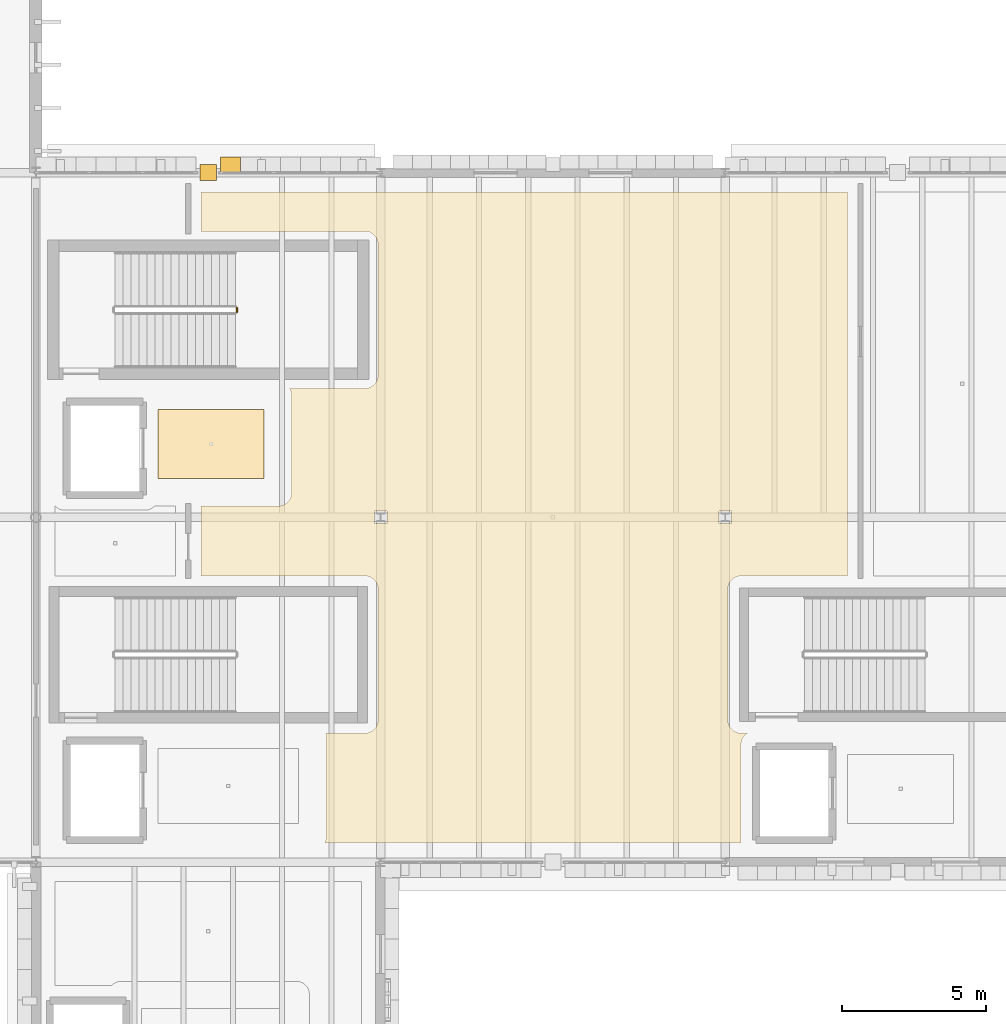
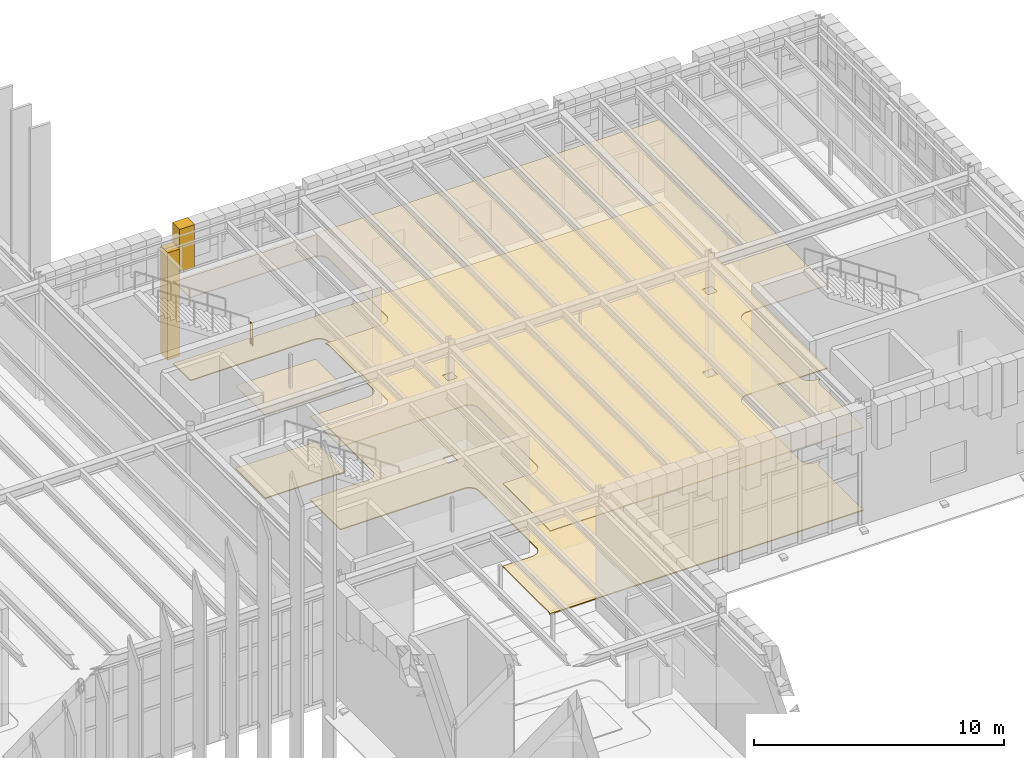
# One storey, part 76 of 83: 6 coverings, 1 railing.
"""IFC4 building model written with IfcOpenShell, lengths in metres."""

from ifc_helpers import new_model, si_unit, direction, frame, origin, origin_2d, place, context, subcontext, project, spatial, polyline, circle, outline, extrude, material, layer, layer_set, type_object, element, save


model = new_model("IFC4")

# Units and contexts
model_context = context("Model", 3, precision=1e-05, world=origin(), true_north=direction((0.0, 1.0)))
body_context = subcontext(model_context, "Body", "Model", "MODEL_VIEW")
ifc_project = project(units=[si_unit("LENGTHUNIT", "METRE"), si_unit("AREAUNIT", "SQUARE_METRE"), si_unit("VOLUMEUNIT", "CUBIC_METRE"), si_unit("PLANEANGLEUNIT", "RADIAN"), si_unit("MASSUNIT", "GRAM", prefix="KILO")], contexts=[model_context])

# Site, building, storey
site_placement = place(None, origin())
site = spatial("IfcSite", under=ifc_project, at=site_placement, CompositionType="ELEMENT")
building_placement = place(site_placement, origin())
building = spatial("IfcBuilding", under=site, at=building_placement, Name="Zlatogorsky Bluff Art Gallery", CompositionType="ELEMENT")
storey_placement = place(building_placement, frame((0.0, 0.0, 10.800048828125)))
storey = spatial("IfcBuildingStorey", under=building, at=storey_placement, Name="L02", CompositionType="ELEMENT", Elevation=10.800048828125)

# Coverings
ifc_material_1 = material(Name="Perforated Gypsum Acoustic Board", Category="gypsum")
ifc_layer_1 = layer(ifc_material_1, 0.0400390625)
ifc_layer_set_1 = layer_set([ifc_layer_1], Name="Acoustic Gallery Ceiling CLG-01")
covering_type_1 = type_object("IfcCoveringType", Name="Acoustic Gallery Ceiling CLG-01", PredefinedType="CEILING", material=ifc_layer_set_1)
covering_1_placement = place(storey_placement, frame((0.0, 0.0, 4.050048828125)))
element("IfcCovering", 1, at=covering_1_placement, inside=storey, type_object=covering_type_1, Name="Lift Lobby PL-1 acoustic ceiling", PredefinedType="CEILING", context=body_context, shape_type="SweptSolid", body=[
    extrude(outline(polyline([(127.949951171875, 99.75), (127.949951171875, 97.35009765625), (124.25, 97.35009765625), (124.25, 99.75), (127.949951171875, 99.75)])), origin(), (0.0, 0.0, 1.0), 0.039794921875),
])
covering_2_placement = place(storey_placement, frame((0.0, 0.0, 4.050048828125)))
element("IfcCovering", 2, at=covering_2_placement, inside=storey, type_object=covering_type_1, Name="Artists' Critique and Printmaking Studio acoustic ceiling", PredefinedType="CEILING", context=body_context, shape_type="SweptSolid", body=[
    extrude(outline(polyline([(130.065673828125, 84.677734375), (130.08056640625, 84.719482421875), (130.09130859375, 84.76220703125), (130.097900390625, 84.805908203125), (130.10009765625, 84.85009765625), (130.10009765625, 88.449951171875), (130.097900390625, 88.489990234375), (131.450927734375, 88.489990234375), (131.495361328125, 88.4921875), (131.539306640625, 88.498779296875), (131.540283203125, 88.498779296875), (131.549560546875, 88.5009765625), (131.550537109375, 88.501220703125), (131.59375, 88.512939453125), (131.6357421875, 88.529296875), (131.637451171875, 88.530029296875), (131.673095703125, 88.5478515625), (131.674072265625, 88.54833984375), (131.706298828125, 88.568115234375), (131.73681640625, 88.59033203125), (131.73828125, 88.591552734375), (131.775390625, 88.624755859375), (131.80859375, 88.661865234375), (131.809814453125, 88.663330078125), (131.83203125, 88.693603515625), (131.851806640625, 88.725830078125), (131.852294921875, 88.726806640625), (131.8701171875, 88.762451171875), (131.870361328125, 88.763427734375), (131.870849609375, 88.764404296875), (131.886962890625, 88.80615234375), (131.89892578125, 88.849609375), (131.899169921875, 88.850341796875), (131.901123046875, 88.859619140625), (131.9013671875, 88.860595703125), (131.90771484375, 88.90478515625), (131.909912109375, 88.948974609375), (131.909912109375, 93.5009765625), (131.90771484375, 93.54541015625), (131.9013671875, 93.58935546875), (131.901123046875, 93.59033203125), (131.899169921875, 93.599609375), (131.89892578125, 93.6005859375), (131.886962890625, 93.643798828125), (131.870849609375, 93.685791015625), (131.870361328125, 93.6865234375), (131.8701171875, 93.6875), (131.852294921875, 93.72314453125), (131.851806640625, 93.72412109375), (131.83203125, 93.75634765625), (131.809814453125, 93.78662109375), (131.80859375, 93.7880859375), (131.775390625, 93.8251953125), (131.73828125, 93.8583984375), (131.73681640625, 93.859619140625), (131.706298828125, 93.882080078125), (131.674072265625, 93.901611328125), (131.673095703125, 93.902099609375), (131.637451171875, 93.919921875), (131.63671875, 93.92041015625), (131.6357421875, 93.9208984375), (131.59375, 93.93701171875), (131.550537109375, 93.948974609375), (131.549560546875, 93.94921875), (131.540283203125, 93.951171875), (131.539306640625, 93.951416015625), (131.495361328125, 93.957763671875), (131.450927734375, 93.9599609375), (125.7548828125, 93.9599609375), (125.7548828125, 96.39990234375), (128.449951171875, 96.39990234375), (128.494140625, 96.402099609375), (128.537841796875, 96.40869140625), (128.58056640625, 96.41943359375), (128.622314453125, 96.434326171875), (128.662109375, 96.453125), (128.699951171875, 96.475830078125), (128.735595703125, 96.502197265625), (128.768310546875, 96.53173828125), (128.7978515625, 96.564453125), (128.82421875, 96.60009765625), (128.846923828125, 96.637939453125), (128.86572265625, 96.677734375), (128.880615234375, 96.719482421875), (128.891357421875, 96.76220703125), (128.897705078125, 96.805908203125), (128.89990234375, 96.85009765625), (128.89990234375, 100.25), (128.897705078125, 100.294189453125), (128.891357421875, 100.337890625), (128.880615234375, 100.380615234375), (128.86572265625, 100.422119140625), (128.846923828125, 100.462158203125), (128.830078125, 100.489990234375), (131.450927734375, 100.489990234375), (131.495361328125, 100.4921875), (131.539306640625, 100.498779296875), (131.540283203125, 100.498779296875), (131.549560546875, 100.5009765625), (131.550537109375, 100.501220703125), (131.59375, 100.512939453125), (131.6357421875, 100.529296875), (131.637451171875, 100.530029296875), (131.673095703125, 100.5478515625), (131.674072265625, 100.54833984375), (131.706298828125, 100.568115234375), (131.73681640625, 100.59033203125), (131.73828125, 100.591552734375), (131.775390625, 100.624755859375), (131.80859375, 100.661865234375), (131.809814453125, 100.663330078125), (131.83203125, 100.693603515625), (131.851806640625, 100.725830078125), (131.852294921875, 100.726806640625), (131.8701171875, 100.762451171875), (131.870361328125, 100.763427734375), (131.870849609375, 100.764404296875), (131.886962890625, 100.80615234375), (131.89892578125, 100.849609375), (131.899169921875, 100.850341796875), (131.901123046875, 100.859619140625), (131.9013671875, 100.860595703125), (131.90771484375, 100.90478515625), (131.909912109375, 100.948974609375), (131.909912109375, 105.5009765625), (131.90771484375, 105.54541015625), (131.9013671875, 105.58935546875), (131.901123046875, 105.59033203125), (131.899169921875, 105.599609375), (131.89892578125, 105.6005859375), (131.886962890625, 105.643798828125), (131.870849609375, 105.685791015625), (131.870361328125, 105.6865234375), (131.8701171875, 105.6875), (131.852294921875, 105.72314453125), (131.851806640625, 105.72412109375), (131.83203125, 105.75634765625), (131.809814453125, 105.78662109375), (131.80859375, 105.7880859375), (131.775390625, 105.8251953125), (131.73828125, 105.8583984375), (131.73681640625, 105.859619140625), (131.706298828125, 105.882080078125), (131.674072265625, 105.901611328125), (131.673095703125, 105.902099609375), (131.637451171875, 105.919921875), (131.63671875, 105.92041015625), (131.6357421875, 105.9208984375), (131.59375, 105.93701171875), (131.550537109375, 105.948974609375), (131.549560546875, 105.94921875), (131.540283203125, 105.951171875), (131.539306640625, 105.951416015625), (131.495361328125, 105.957763671875), (131.450927734375, 105.9599609375), (125.7548828125, 105.9599609375), (125.7548828125, 107.330078125), (148.2607421875, 107.330078125), (148.2607421875, 93.9599609375), (144.549072265625, 93.9599609375), (144.504638671875, 93.957763671875), (144.460693359375, 93.951416015625), (144.459716796875, 93.951171875), (144.450439453125, 93.94921875), (144.449462890625, 93.948974609375), (144.40625, 93.93701171875), (144.3642578125, 93.9208984375), (144.36328125, 93.92041015625), (144.362548828125, 93.919921875), (144.326904296875, 93.902099609375), (144.325927734375, 93.901611328125), (144.293701171875, 93.882080078125), (144.26318359375, 93.859619140625), (144.26171875, 93.8583984375), (144.224609375, 93.8251953125), (144.19140625, 93.7880859375), (144.190185546875, 93.78662109375), (144.16796875, 93.75634765625), (144.148193359375, 93.72412109375), (144.147705078125, 93.72314453125), (144.1298828125, 93.6875), (144.129638671875, 93.6865234375), (144.129150390625, 93.685791015625), (144.113037109375, 93.643798828125), (144.10107421875, 93.6005859375), (144.100830078125, 93.599609375), (144.098876953125, 93.59033203125), (144.0986328125, 93.58935546875), (144.09228515625, 93.54541015625), (144.090087890625, 93.5009765625), (144.090087890625, 88.948974609375), (144.09228515625, 88.90478515625), (144.0986328125, 88.860595703125), (144.098876953125, 88.859619140625), (144.100830078125, 88.850341796875), (144.10107421875, 88.849609375), (144.113037109375, 88.80615234375), (144.129150390625, 88.764404296875), (144.129638671875, 88.763427734375), (144.1298828125, 88.762451171875), (144.147705078125, 88.726806640625), (144.148193359375, 88.725830078125), (144.16796875, 88.693603515625), (144.190185546875, 88.663330078125), (144.19140625, 88.661865234375), (144.224609375, 88.624755859375), (144.26171875, 88.591552734375), (144.26318359375, 88.59033203125), (144.293701171875, 88.568115234375), (144.325927734375, 88.54833984375), (144.326904296875, 88.5478515625), (144.362548828125, 88.530029296875), (144.3642578125, 88.529296875), (144.40625, 88.512939453125), (144.449462890625, 88.501220703125), (144.450439453125, 88.5009765625), (144.459716796875, 88.498779296875), (144.460693359375, 88.498779296875), (144.504638671875, 88.4921875), (144.549072265625, 88.489990234375), (144.7763671875, 88.489990234375), (144.75, 88.47412109375), (144.714599609375, 88.447998046875), (144.681884765625, 88.418212890625), (144.652099609375, 88.385498046875), (144.625732421875, 88.35009765625), (144.60302734375, 88.31201171875), (144.584228515625, 88.272216796875), (144.5693359375, 88.230712890625), (144.55859375, 88.187744140625), (144.55224609375, 88.14404296875), (144.550048828125, 88.10009765625), (144.550048828125, 84.699951171875), (144.551513671875, 84.669921875), (130.06201171875, 84.669921875), (130.065673828125, 84.677734375)]), holes=[polyline([(131.780029296875, 95.780029296875), (132.219970703125, 95.780029296875), (132.219970703125, 96.219970703125), (131.780029296875, 96.219970703125), (131.780029296875, 95.780029296875)]), polyline([(143.780029296875, 95.780029296875), (144.219970703125, 95.780029296875), (144.219970703125, 96.219970703125), (143.780029296875, 96.219970703125), (143.780029296875, 95.780029296875)])]), origin(), (0.0, 0.0, 1.0), 0.039794921875),
])
ifc_material_2 = material(Name="Honed Red Agra-Tone Quartzitic Sandstone", Category="masonry")
ifc_layer_2 = layer(ifc_material_2, 0.1201171875)
ifc_layer_set_2 = layer_set([ifc_layer_2], Name="Carved Sandstone Cladding CLD-02")
covering_type_2 = type_object("IfcCoveringType", Name="Carved Sandstone Cladding CLD-02", PredefinedType="CLADDING", material=ifc_layer_set_2)
covering_3_placement = place(storey_placement, frame((0.0, 0.0, -0.030029296875)))
element("IfcCovering", 3, at=covering_3_placement, inside=storey, type_object=covering_type_2, Name="Mughal dalan central sandstone pier L02 N 10.9", PredefinedType="CLADDING", context=body_context, shape_type="SweptSolid", body=[
    extrude(outline(polyline([(125.719970703125, 107.719970703125), (126.280029296875, 107.719970703125), (126.280029296875, 108.280029296875), (125.719970703125, 108.280029296875), (125.719970703125, 107.719970703125)])), origin(), (0.0, 0.0, 1.0), 5.239990234375),
])
covering_4_placement = place(storey_placement, frame((0.0, 0.0, 3.877685546875)))
element("IfcCovering", 4, at=covering_4_placement, inside=storey, type_object=covering_type_2, Name="Pointed Mughal arch voussoir spandrel ARCH-CW-L02-N-10-09-A.1", PredefinedType="CLADDING", context=body_context, shape_type="SweptSolid", body=[
    extrude(outline(polyline([(126.419921875, 107.969970703125), (127.117431640625, 107.969970703125), (127.117431640625, 108.5400390625), (126.419921875, 108.5400390625), (126.419921875, 107.969970703125)])), origin(), (0.0, 0.0, 1.0), 2.082275390625),
])

# Railing
ifc_material_3 = material(Name="Architectural Bronze and Laminated Glass", Category="glass")
railing_type = type_object("IfcRailingType", Name="Gallery Guard Rail 1100mm", PredefinedType="GUARDRAIL", material=ifc_material_3)
railing_placement = place(storey_placement, frame((127.0, 103.14990234375, 3.0)))
element("IfcRailing", 5, at=railing_placement, inside=storey, type_object=railing_type, Name="L02 ST-03 stair guard 2", PredefinedType="GUARDRAIL", context=body_context, shape_type="SweptSolid", body=[
    extrude(circle(Radius=0.02392578125, at=origin_2d()), frame((0.0, 0.0, 1.076171875), z_axis=(0.0, 1.0, 0.0), x_axis=(-1.0, 0.0, 0.0)), (0.0, 0.0, 1.0), 0.150146484375),
    extrude(circle(Radius=0.02099609375, at=origin_2d()), origin(), (0.0, 0.0, 1.0), 1.052001953125),
    extrude(circle(Radius=0.02099609375, at=origin_2d()), frame((0.0, 0.150146484375, 0.0)), (0.0, 0.0, 1.0), 1.052001953125),
])

# Coverings
ifc_material_4 = material(Name="Polished Ural Marble Terrazzo", Category="masonry")
ifc_layer_3 = layer(ifc_material_4, 0.050048828125)
ifc_layer_set_3 = layer_set([ifc_layer_3], Name="Terrazzo Gallery Flooring FLR-01")
covering_type_3 = type_object("IfcCoveringType", Name="Terrazzo Gallery Flooring FLR-01", PredefinedType="FLOORING", material=ifc_layer_set_3)
covering_5_placement = place(storey_placement, origin())
element("IfcCovering", 6, at=covering_5_placement, inside=storey, type_object=covering_type_3, Name="Lift Lobby PL-1 terrazzo floor finish", PredefinedType="FLOORING", context=body_context, shape_type="SweptSolid", body=[
    extrude(outline(polyline([(127.949951171875, 99.75), (127.949951171875, 97.35009765625), (124.25, 97.35009765625), (124.25, 99.75), (127.949951171875, 99.75)])), origin(), (0.0, 0.0, 1.0), 0.050048828125),
])
covering_6_placement = place(storey_placement, origin())
element("IfcCovering", 7, at=covering_6_placement, inside=storey, type_object=covering_type_3, Name="Artists' Critique and Printmaking Studio terrazzo floor finish", PredefinedType="FLOORING", context=body_context, shape_type="SweptSolid", body=[
    extrude(outline(polyline([(130.065673828125, 84.677734375), (130.08056640625, 84.719482421875), (130.09130859375, 84.76220703125), (130.097900390625, 84.805908203125), (130.10009765625, 84.85009765625), (130.10009765625, 88.449951171875), (130.097900390625, 88.489990234375), (131.450927734375, 88.489990234375), (131.495361328125, 88.4921875), (131.539306640625, 88.498779296875), (131.540283203125, 88.498779296875), (131.549560546875, 88.5009765625), (131.550537109375, 88.501220703125), (131.59375, 88.512939453125), (131.6357421875, 88.529296875), (131.637451171875, 88.530029296875), (131.673095703125, 88.5478515625), (131.674072265625, 88.54833984375), (131.706298828125, 88.568115234375), (131.73681640625, 88.59033203125), (131.73828125, 88.591552734375), (131.775390625, 88.624755859375), (131.80859375, 88.661865234375), (131.809814453125, 88.663330078125), (131.83203125, 88.693603515625), (131.851806640625, 88.725830078125), (131.852294921875, 88.726806640625), (131.8701171875, 88.762451171875), (131.870361328125, 88.763427734375), (131.870849609375, 88.764404296875), (131.886962890625, 88.80615234375), (131.89892578125, 88.849609375), (131.899169921875, 88.850341796875), (131.901123046875, 88.859619140625), (131.9013671875, 88.860595703125), (131.90771484375, 88.90478515625), (131.909912109375, 88.948974609375), (131.909912109375, 93.5009765625), (131.90771484375, 93.54541015625), (131.9013671875, 93.58935546875), (131.901123046875, 93.59033203125), (131.899169921875, 93.599609375), (131.89892578125, 93.6005859375), (131.886962890625, 93.643798828125), (131.870849609375, 93.685791015625), (131.870361328125, 93.6865234375), (131.8701171875, 93.6875), (131.852294921875, 93.72314453125), (131.851806640625, 93.72412109375), (131.83203125, 93.75634765625), (131.809814453125, 93.78662109375), (131.80859375, 93.7880859375), (131.775390625, 93.8251953125), (131.73828125, 93.8583984375), (131.73681640625, 93.859619140625), (131.706298828125, 93.882080078125), (131.674072265625, 93.901611328125), (131.673095703125, 93.902099609375), (131.637451171875, 93.919921875), (131.63671875, 93.92041015625), (131.6357421875, 93.9208984375), (131.59375, 93.93701171875), (131.550537109375, 93.948974609375), (131.549560546875, 93.94921875), (131.540283203125, 93.951171875), (131.539306640625, 93.951416015625), (131.495361328125, 93.957763671875), (131.450927734375, 93.9599609375), (125.7548828125, 93.9599609375), (125.7548828125, 96.39990234375), (128.449951171875, 96.39990234375), (128.494140625, 96.402099609375), (128.537841796875, 96.40869140625), (128.58056640625, 96.41943359375), (128.622314453125, 96.434326171875), (128.662109375, 96.453125), (128.699951171875, 96.475830078125), (128.735595703125, 96.502197265625), (128.768310546875, 96.53173828125), (128.7978515625, 96.564453125), (128.82421875, 96.60009765625), (128.846923828125, 96.637939453125), (128.86572265625, 96.677734375), (128.880615234375, 96.719482421875), (128.891357421875, 96.76220703125), (128.897705078125, 96.805908203125), (128.89990234375, 96.85009765625), (128.89990234375, 100.25), (128.897705078125, 100.294189453125), (128.891357421875, 100.337890625), (128.880615234375, 100.380615234375), (128.86572265625, 100.422119140625), (128.846923828125, 100.462158203125), (128.830078125, 100.489990234375), (131.450927734375, 100.489990234375), (131.495361328125, 100.4921875), (131.539306640625, 100.498779296875), (131.540283203125, 100.498779296875), (131.549560546875, 100.5009765625), (131.550537109375, 100.501220703125), (131.59375, 100.512939453125), (131.6357421875, 100.529296875), (131.637451171875, 100.530029296875), (131.673095703125, 100.5478515625), (131.674072265625, 100.54833984375), (131.706298828125, 100.568115234375), (131.73681640625, 100.59033203125), (131.73828125, 100.591552734375), (131.775390625, 100.624755859375), (131.80859375, 100.661865234375), (131.809814453125, 100.663330078125), (131.83203125, 100.693603515625), (131.851806640625, 100.725830078125), (131.852294921875, 100.726806640625), (131.8701171875, 100.762451171875), (131.870361328125, 100.763427734375), (131.870849609375, 100.764404296875), (131.886962890625, 100.80615234375), (131.89892578125, 100.849609375), (131.899169921875, 100.850341796875), (131.901123046875, 100.859619140625), (131.9013671875, 100.860595703125), (131.90771484375, 100.90478515625), (131.909912109375, 100.948974609375), (131.909912109375, 105.5009765625), (131.90771484375, 105.54541015625), (131.9013671875, 105.58935546875), (131.901123046875, 105.59033203125), (131.899169921875, 105.599609375), (131.89892578125, 105.6005859375), (131.886962890625, 105.643798828125), (131.870849609375, 105.685791015625), (131.870361328125, 105.6865234375), (131.8701171875, 105.6875), (131.852294921875, 105.72314453125), (131.851806640625, 105.72412109375), (131.83203125, 105.75634765625), (131.809814453125, 105.78662109375), (131.80859375, 105.7880859375), (131.775390625, 105.8251953125), (131.73828125, 105.8583984375), (131.73681640625, 105.859619140625), (131.706298828125, 105.882080078125), (131.674072265625, 105.901611328125), (131.673095703125, 105.902099609375), (131.637451171875, 105.919921875), (131.63671875, 105.92041015625), (131.6357421875, 105.9208984375), (131.59375, 105.93701171875), (131.550537109375, 105.948974609375), (131.549560546875, 105.94921875), (131.540283203125, 105.951171875), (131.539306640625, 105.951416015625), (131.495361328125, 105.957763671875), (131.450927734375, 105.9599609375), (125.7548828125, 105.9599609375), (125.7548828125, 107.330078125), (148.2607421875, 107.330078125), (148.2607421875, 93.9599609375), (144.549072265625, 93.9599609375), (144.504638671875, 93.957763671875), (144.460693359375, 93.951416015625), (144.459716796875, 93.951171875), (144.450439453125, 93.94921875), (144.449462890625, 93.948974609375), (144.40625, 93.93701171875), (144.3642578125, 93.9208984375), (144.36328125, 93.92041015625), (144.362548828125, 93.919921875), (144.326904296875, 93.902099609375), (144.325927734375, 93.901611328125), (144.293701171875, 93.882080078125), (144.26318359375, 93.859619140625), (144.26171875, 93.8583984375), (144.224609375, 93.8251953125), (144.19140625, 93.7880859375), (144.190185546875, 93.78662109375), (144.16796875, 93.75634765625), (144.148193359375, 93.72412109375), (144.147705078125, 93.72314453125), (144.1298828125, 93.6875), (144.129638671875, 93.6865234375), (144.129150390625, 93.685791015625), (144.113037109375, 93.643798828125), (144.10107421875, 93.6005859375), (144.100830078125, 93.599609375), (144.098876953125, 93.59033203125), (144.0986328125, 93.58935546875), (144.09228515625, 93.54541015625), (144.090087890625, 93.5009765625), (144.090087890625, 88.948974609375), (144.09228515625, 88.90478515625), (144.0986328125, 88.860595703125), (144.098876953125, 88.859619140625), (144.100830078125, 88.850341796875), (144.10107421875, 88.849609375), (144.113037109375, 88.80615234375), (144.129150390625, 88.764404296875), (144.129638671875, 88.763427734375), (144.1298828125, 88.762451171875), (144.147705078125, 88.726806640625), (144.148193359375, 88.725830078125), (144.16796875, 88.693603515625), (144.190185546875, 88.663330078125), (144.19140625, 88.661865234375), (144.224609375, 88.624755859375), (144.26171875, 88.591552734375), (144.26318359375, 88.59033203125), (144.293701171875, 88.568115234375), (144.325927734375, 88.54833984375), (144.326904296875, 88.5478515625), (144.362548828125, 88.530029296875), (144.3642578125, 88.529296875), (144.40625, 88.512939453125), (144.449462890625, 88.501220703125), (144.450439453125, 88.5009765625), (144.459716796875, 88.498779296875), (144.460693359375, 88.498779296875), (144.504638671875, 88.4921875), (144.549072265625, 88.489990234375), (144.7763671875, 88.489990234375), (144.75, 88.47412109375), (144.714599609375, 88.447998046875), (144.681884765625, 88.418212890625), (144.652099609375, 88.385498046875), (144.625732421875, 88.35009765625), (144.60302734375, 88.31201171875), (144.584228515625, 88.272216796875), (144.5693359375, 88.230712890625), (144.55859375, 88.187744140625), (144.55224609375, 88.14404296875), (144.550048828125, 88.10009765625), (144.550048828125, 84.699951171875), (144.551513671875, 84.669921875), (130.06201171875, 84.669921875), (130.065673828125, 84.677734375)]), holes=[polyline([(131.780029296875, 95.780029296875), (132.219970703125, 95.780029296875), (132.219970703125, 96.219970703125), (131.780029296875, 96.219970703125), (131.780029296875, 95.780029296875)]), polyline([(143.780029296875, 95.780029296875), (144.219970703125, 95.780029296875), (144.219970703125, 96.219970703125), (143.780029296875, 96.219970703125), (143.780029296875, 95.780029296875)])]), origin(), (0.0, 0.0, 1.0), 0.050048828125),
])

save(model, "model.ifc")
